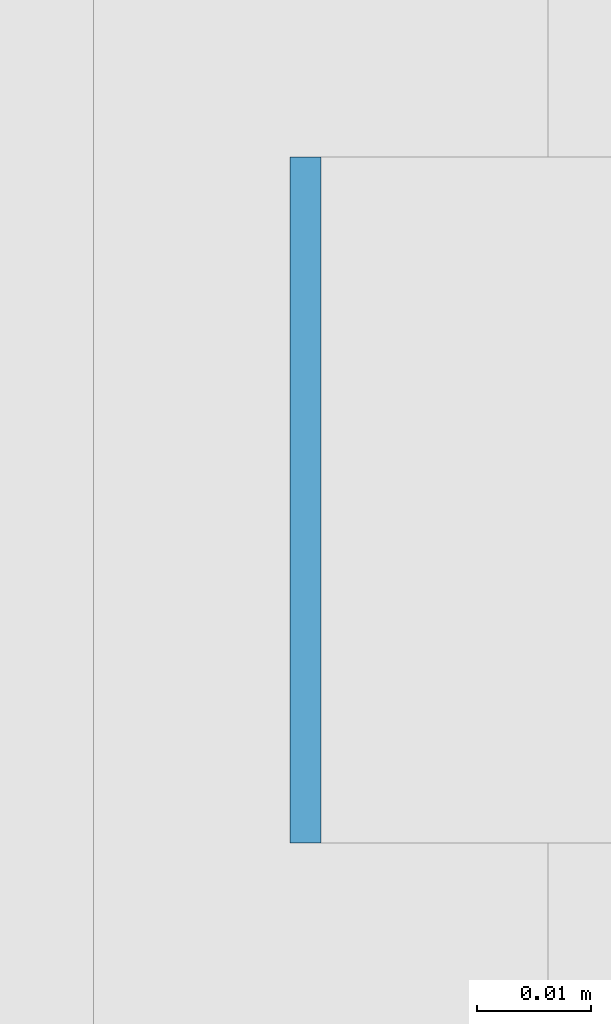
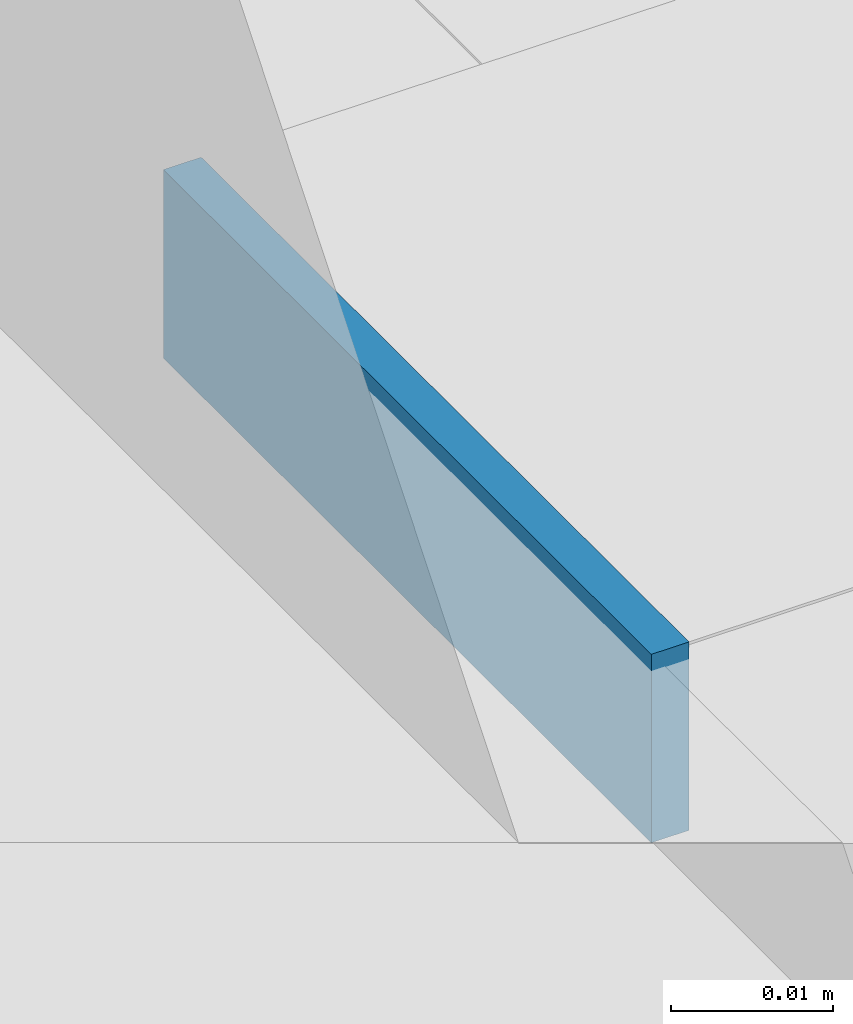
# One storey, part 481 of 646: 1 discrete accessory.
"""IFC4 building model written with IfcOpenShell, lengths in metres."""

from ifc_helpers import new_model, si_unit, direction, frame, origin, origin_2d, place, context, subcontext, project, spatial, rectangle, extrude, material, type_object, element, save


model = new_model("IFC4")

# Units and contexts
model_context = context("Model", 3, precision=1e-05, world=origin(), true_north=direction((0.0, 1.0)))
body_context = subcontext(model_context, "Body", "Model", "MODEL_VIEW")
ifc_project = project(units=[si_unit("LENGTHUNIT", "METRE"), si_unit("AREAUNIT", "SQUARE_METRE"), si_unit("VOLUMEUNIT", "CUBIC_METRE"), si_unit("PLANEANGLEUNIT", "RADIAN"), si_unit("MASSUNIT", "GRAM", prefix="KILO")], contexts=[model_context])

# Site, building, storey
site_placement = place(None, origin())
site = spatial("IfcSite", under=ifc_project, at=site_placement, CompositionType="ELEMENT")
building_placement = place(site_placement, origin())
building = spatial("IfcBuilding", under=site, at=building_placement, Name="Silverbay Arena", CompositionType="ELEMENT")
storey_placement = place(building_placement, frame((0.0, 0.0, 33.5)))
storey = spatial("IfcBuildingStorey", under=building, at=storey_placement, Name="L05", CompositionType="ELEMENT", Elevation=33.5)

# Discrete accessory
ifc_material = material(Name="Steel S355", Category="steel")
discrete_accessory_type = type_object("IfcDiscreteAccessoryType", Name="Steel bracket plate", PredefinedType="BRACKET", material=ifc_material)
discrete_accessory_placement = place(storey_placement, frame((207.128662109375, 56.571533203125, 12.98583984375), z_axis=(0.0, 0.0, 1.0), x_axis=(1.0, 0.0, 0.0)))
element("IfcDiscreteAccessory", 1, at=discrete_accessory_placement, inside=storey, type_object=discrete_accessory_type, Name="Curtain wall packing plate", PredefinedType="BRACKET", context=body_context, shape_type="SweptSolid", body=[
    extrude(rectangle(XDim=0.002685546875, YDim=0.06005859375, at=origin_2d()), origin(), (0.0, 0.0, 1.0), 0.01416015625),
])

save(model, "model.ifc")
